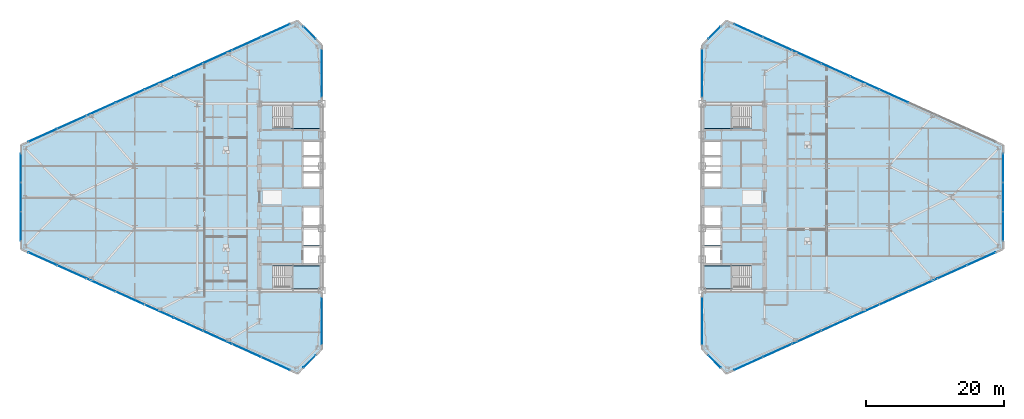
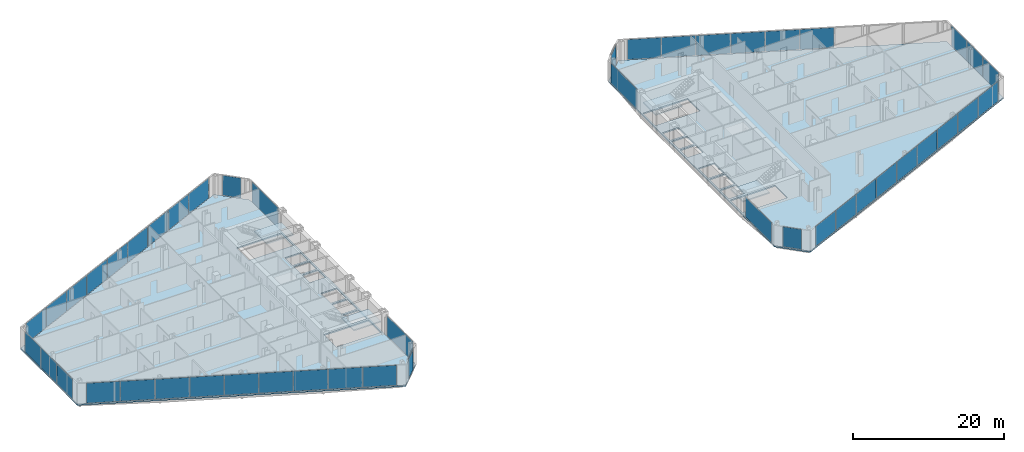
# One storey, part 17 of 27: 47 plates, 6 slabs, 18 elements without a shape of their own.
"""IFC4 building model written with IfcOpenShell, lengths in metres."""

import ifcopenshell
import ifcopenshell.guid

model = None  # the IFC model being written
_history = None  # IfcOwnerHistory: only IFC2X3 demands one
_inside = {}  # id of a spatial element -> (the spatial element, [elements in it])
_under = {}  # id of a project, library or spatial element -> (it, [spatial elements below it])
_declared = {}  # id of a project -> (the project, [libraries it declares])
_typed = {}  # id of a type object -> (the type object, [elements of that type])
_made_of = {}  # id of a material, layer set ... -> (it, [elements and type objects made of it])


def new_model(schema):
    """Start an empty IFC model of exactly this schema.

    Asked for "IFC4X3", IfcOpenShell would pick the latest addendum, in which some entities
    have other attributes; the version numbers below select the first issue.
    IFC2X3 requires an IfcOwnerHistory on every rooted entity: one is made here for all.
    """
    global model, _history
    if schema == "IFC4X3":
        model = ifcopenshell.file(schema_version=(4, 3, 0, 0))
    else:
        model = ifcopenshell.file(schema=schema)
    _inside.clear()
    _under.clear()
    _declared.clear()
    _typed.clear()
    _made_of.clear()
    _history = None
    if model.schema == "IFC2X3":
        org = make("IfcOrganization", Name="unknown")
        user = make(
            "IfcPersonAndOrganization",
            ThePerson=make("IfcPerson", FamilyName="unknown"),
            TheOrganization=org,
        )
        app = make(
            "IfcApplication",
            ApplicationDeveloper=org,
            Version="unknown",
            ApplicationFullName="unknown",
            ApplicationIdentifier="unknown",
        )
        _history = make(
            "IfcOwnerHistory",
            OwningUser=user,
            OwningApplication=app,
            ChangeAction="ADDED",
            CreationDate=0,
        )
    return model


def make(cls, **values):
    """One entity of the class cls with the attributes given. An attribute that is None is left unset."""
    return model.create_entity(
        cls, **{name: value for name, value in values.items() if value is not None}
    )


def rooted(cls, **values):
    """An entity with a GlobalId (a new one), such as an element, a storey or a relation."""
    return make(cls, GlobalId=ifcopenshell.guid.new(), OwnerHistory=_history, **values)


def si_unit(unit_type, name, prefix=None):
    """IfcSIUnit, for example si_unit("LENGTHUNIT", "METRE", prefix="MILLI")."""
    return make("IfcSIUnit", UnitType=unit_type, Prefix=prefix, Name=name)


def assignment(units):
    """IfcUnitAssignment: the units of a project."""
    return None if units is None else make("IfcUnitAssignment", Units=units)


def point(xyz):
    """IfcCartesianPoint."""
    return None if xyz is None else make("IfcCartesianPoint", Coordinates=xyz)


def direction(xyz):
    """IfcDirection."""
    return None if xyz is None else make("IfcDirection", DirectionRatios=xyz)


def frame(location, z_axis=None, x_axis=None):
    """IfcAxis2Placement3D, a coordinate frame: its origin and axes. An axis left out is left unset."""
    return make(
        "IfcAxis2Placement3D",
        Location=point(location),
        Axis=direction(z_axis),
        RefDirection=direction(x_axis),
    )


def frame_2d(location, x_axis=None):
    """IfcAxis2Placement2D, a coordinate frame in the plane: its origin and x axis."""
    return make(
        "IfcAxis2Placement2D", Location=point(location), RefDirection=direction(x_axis)
    )


def origin():
    """The frame at (0, 0, 0) with its axes left unset."""
    return frame((0.0, 0.0, 0.0))


def origin_2d():
    """The frame at (0, 0) in the plane with its x axis left unset."""
    return frame_2d((0.0, 0.0))


def place(relative_to, where):
    """IfcLocalPlacement: puts the frame where relative to a parent placement (None: the world)."""
    return make(
        "IfcLocalPlacement", PlacementRelTo=relative_to, RelativePlacement=where
    )


def context(
    kind, dimensions, precision=None, world=None, true_north=None, identifier=None
):
    """IfcGeometricRepresentationContext, for example the 3D "Model" context."""
    return make(
        "IfcGeometricRepresentationContext",
        ContextIdentifier=identifier,
        ContextType=kind,
        CoordinateSpaceDimension=dimensions,
        Precision=precision,
        WorldCoordinateSystem=world,
        TrueNorth=true_north,
    )


def subcontext(parent, identifier, kind, view, scale=None):
    """IfcGeometricRepresentationSubContext, for example "Body" below "Model"."""
    return make(
        "IfcGeometricRepresentationSubContext",
        ContextIdentifier=identifier,
        ContextType=kind,
        ParentContext=parent,
        TargetScale=scale,
        TargetView=view,
    )


def project(units=None, contexts=None):
    """IfcProject with its units and contexts."""
    return rooted(
        "IfcProject",
        Name="project",
        RepresentationContexts=contexts,
        UnitsInContext=assignment(units),
    )


def spatial(cls, under=None, at=None, **own):
    """A site, building, storey or space (cls), placed at a placement, below another one or the project."""
    s = rooted(cls, ObjectPlacement=at, **own)
    if under is not None:
        _under.setdefault(under.id(), (under, []))[1].append(s)
    return s


def polyline(points):
    """IfcPolyline through the points."""
    return make("IfcPolyline", Points=[point(p) for p in points])


def profile(cls, at=None, kind="AREA", **sizes):
    """A parametric profile (cls). Its sizes go by their IFC names, for example OverallWidth=200.0."""
    return make(cls, ProfileType=kind, Position=at, **sizes)


def rectangle(**sizes):
    """IfcRectangleProfileDef."""
    return profile("IfcRectangleProfileDef", **sizes)


def outline(outer, holes=None, kind="AREA"):
    """IfcArbitraryClosedProfileDef: a profile drawn as a closed curve; with holes, ...WithVoids."""
    if holes is None:
        return make("IfcArbitraryClosedProfileDef", ProfileType=kind, OuterCurve=outer)
    return make(
        "IfcArbitraryProfileDefWithVoids",
        ProfileType=kind,
        OuterCurve=outer,
        InnerCurves=holes,
    )


def extrude(swept, where, along, depth):
    """IfcExtrudedAreaSolid: the profile swept, set in the frame where, extruded along a direction by depth."""
    return make(
        "IfcExtrudedAreaSolid",
        SweptArea=swept,
        Position=where,
        ExtrudedDirection=direction(along),
        Depth=depth,
    )


def shape(context_of_items, identifier, shape_type, items):
    """IfcShapeRepresentation: the items that make up one representation, for example the "Body"."""
    return make(
        "IfcShapeRepresentation",
        ContextOfItems=context_of_items,
        RepresentationIdentifier=identifier,
        RepresentationType=shape_type,
        Items=items,
    )


def source(mapping_origin, context_of_items, identifier, shape_type, items):
    """IfcRepresentationMap: a shape defined once, which mapped items show again and again."""
    return make(
        "IfcRepresentationMap",
        MappingOrigin=mapping_origin,
        MappedRepresentation=shape(context_of_items, identifier, shape_type, items),
    )


def transform(
    local_origin,
    x_axis=None,
    y_axis=None,
    z_axis=None,
    scale=None,
    scale2=None,
    scale3=None,
    uniform=True,
):
    """IfcCartesianTransformationOperator3D, or its non-uniform kind. x_axis, y_axis, z_axis: its Axis1, 2, 3."""
    if uniform:
        return make(
            "IfcCartesianTransformationOperator3D",
            Axis1=direction(x_axis),
            Axis2=direction(y_axis),
            LocalOrigin=point(local_origin),
            Scale=scale,
            Axis3=direction(z_axis),
        )
    return make(
        "IfcCartesianTransformationOperator3DnonUniform",
        Axis1=direction(x_axis),
        Axis2=direction(y_axis),
        LocalOrigin=point(local_origin),
        Scale=scale,
        Axis3=direction(z_axis),
        Scale2=scale2,
        Scale3=scale3,
    )


def mapped(mapping_source, mapping_target):
    """IfcMappedItem: shows the shape of a source again, moved by a transform."""
    return make(
        "IfcMappedItem", MappingSource=mapping_source, MappingTarget=mapping_target
    )


def material(Name=None, Category=None):
    """IfcMaterial."""
    return make("IfcMaterial", Name=Name, Category=Category)


def layer(
    of_material, thickness, ventilated=None, Name=None, Category=None, Priority=None
):
    """IfcMaterialLayer: one layer of a wall or slab, of a material (None: an air gap)."""
    return make(
        "IfcMaterialLayer",
        Material=of_material,
        LayerThickness=thickness,
        IsVentilated=ventilated,
        Name=Name,
        Category=Category,
        Priority=Priority,
    )


def layer_set(layers, Name=None):
    """IfcMaterialLayerSet."""
    return make("IfcMaterialLayerSet", MaterialLayers=layers, LayerSetName=Name)


def made_of(thing, what):
    """Note that an element or type object is made of a material, layer set ...; save() writes the relation."""
    if what is not None:
        _made_of.setdefault(what.id(), (what, []))[1].append(thing)
    return thing


def type_object(cls, material=None, **own):
    """A type object (cls), such as IfcWallType, which elements share."""
    return made_of(rooted(cls, **own), material)


def type_shapes(of_type, sources):
    """Give a type object the sources (RepresentationMaps) that its elements show as mapped items."""
    of_type.RepresentationMaps = sources


def element(
    cls,
    number,
    at=None,
    inside=None,
    cuts=None,
    type_object=None,
    material=None,
    context=None,
    identifier="Body",
    shape_type=None,
    held_by="IfcProductDefinitionShape",
    body=None,
    shapes=None,
    **own,
):
    """One element of the class cls, such as IfcWall. Its Tag is "e" and its number.

    at: its placement. inside: the storey or other place that contains it. cuts: it is an
    opening in that element (IfcRelVoidsElement). A single representation is given by context,
    identifier, shape_type and body (its items); several are given by shapes. held_by: the class
    of the entity that holds the representations. save() writes the other relations.
    """
    e = rooted(cls, Tag="e%d" % number, ObjectPlacement=at, **own)
    if body is not None:
        shapes = [shape(context, identifier, shape_type, body)]
    if shapes is not None:
        e.Representation = make(held_by, Representations=shapes)
    if inside is not None:
        _inside.setdefault(inside.id(), (inside, []))[1].append(e)
    if cuts is not None:
        rooted(
            "IfcRelVoidsElement", RelatingBuildingElement=cuts, RelatedOpeningElement=e
        )
    if type_object is not None:
        _typed.setdefault(type_object.id(), (type_object, []))[1].append(e)
    return made_of(e, material)


def aggregate(whole, parts):
    """IfcRelAggregates: a whole, such as a stair, and the parts it consists of."""
    return rooted("IfcRelAggregates", RelatingObject=whole, RelatedObjects=parts)


def save(model, path):
    """Write the relations noted so far, then the file.

    IfcRelAggregates (storeys below a building ...), IfcRelContainedInSpatialStructure (elements
    in a storey), IfcRelDefinesByType, IfcRelAssociatesMaterial and IfcRelDeclares: one each for
    every whole, place, type object, material and project.
    """
    for whole, parts in _under.values():
        aggregate(whole, parts)
    for where, things in _inside.values():
        rooted(
            "IfcRelContainedInSpatialStructure",
            RelatedElements=things,
            RelatingStructure=where,
        )
    for kind, things in _typed.values():
        rooted("IfcRelDefinesByType", RelatedObjects=things, RelatingType=kind)
    for what, things in _made_of.values():
        rooted("IfcRelAssociatesMaterial", RelatedObjects=things, RelatingMaterial=what)
    for by, libraries in _declared.values():
        rooted("IfcRelDeclares", RelatingContext=by, RelatedDefinitions=libraries)
    model.write(path)


model = new_model("IFC4")

# Units and contexts
model_context = context("Model", 3, precision=1e-05, world=origin(), true_north=direction((0.0, 1.0)))
body_context = subcontext(model_context, "Body", "Model", "MODEL_VIEW")
ifc_project = project(units=[si_unit("LENGTHUNIT", "METRE"), si_unit("AREAUNIT", "SQUARE_METRE"), si_unit("VOLUMEUNIT", "CUBIC_METRE"), si_unit("PLANEANGLEUNIT", "RADIAN"), si_unit("MASSUNIT", "GRAM", prefix="KILO")], contexts=[model_context])

# Site, building, storey
site_placement = place(None, origin())
site = spatial("IfcSite", under=ifc_project, at=site_placement, CompositionType="ELEMENT")
building_placement = place(site_placement, origin())
building = spatial("IfcBuilding", under=site, at=building_placement, Name="Seokmaru Belvedere", CompositionType="ELEMENT")
storey_placement = place(building_placement, frame((0.0, 0.0, 69.300048828125)))
storey = spatial("IfcBuildingStorey", under=building, at=storey_placement, Name="L18", CompositionType="ELEMENT", Elevation=69.300048828125)

# Stair, slab
ifc_material_1 = material(Name="Concrete C40 (40 MPa)", Category="concrete")
stair_type = type_object("IfcStairType", Name="Typical Tower Core Dog-Leg Stair 3600", PredefinedType="TWO_STRAIGHT_RUN_STAIR", material=ifc_material_1)
stair_1_placement = place(storey_placement, origin())
stair_1 = element("IfcStair", 1, at=stair_1_placement, inside=storey, type_object=stair_type, Name="L18 Special Escape Stair ST-W1", PredefinedType="TWO_STRAIGHT_RUN_STAIR")
ifc_layer_1 = layer(ifc_material_1, 0.199951171875)
ifc_layer_set_1 = layer_set([ifc_layer_1], Name="Concrete C40 (40 MPa)")
slab_type_1 = type_object("IfcSlabType", Name="Reinforced Concrete Stair Landing Slab 200", PredefinedType="LANDING", material=ifc_layer_set_1)
slab_1_placement = place(storey_placement, frame((0.0, 0.0, 1.599853515625)))
slab_1 = element("IfcSlab", 2, at=slab_1_placement, type_object=slab_type_1, Name="ST-W1 landing 1", PredefinedType="LANDING", context=body_context, shape_type="SweptSolid", body=[
    extrude(outline(polyline([(-31.8798828125, -13.239990234375), (-27.760009765625, -13.239990234375), (-27.760009765625, -9.949951171875), (-31.8798828125, -9.949951171875), (-31.8798828125, -13.239990234375)])), origin(), (0.0, 0.0, 1.0), 0.2001953125),
])
aggregate(stair_1, [slab_1])

stair_2_placement = place(storey_placement, origin())
stair_2 = element("IfcStair", 3, at=stair_2_placement, inside=storey, type_object=stair_type, Name="L18 Special Escape Stair ST-W2", PredefinedType="TWO_STRAIGHT_RUN_STAIR")
slab_2_placement = place(storey_placement, frame((0.0, 0.0, 1.599853515625)))
slab_2 = element("IfcSlab", 4, at=slab_2_placement, type_object=slab_type_1, Name="ST-W2 landing 1", PredefinedType="LANDING", context=body_context, shape_type="SweptSolid", body=[
    extrude(outline(polyline([(-31.8798828125, 9.949951171875), (-27.760009765625, 9.949951171875), (-27.760009765625, 13.239990234375), (-31.8798828125, 13.239990234375), (-31.8798828125, 9.949951171875)])), origin(), (0.0, 0.0, 1.0), 0.2001953125),
])
aggregate(stair_2, [slab_2])

stair_3_placement = place(storey_placement, origin())
stair_3 = element("IfcStair", 5, at=stair_3_placement, inside=storey, type_object=stair_type, Name="L18 Special Escape Stair ST-E1", PredefinedType="TWO_STRAIGHT_RUN_STAIR")
slab_3_placement = place(storey_placement, frame((0.0, 0.0, 1.599853515625)))
slab_3 = element("IfcSlab", 6, at=slab_3_placement, type_object=slab_type_1, Name="ST-E1 landing 1", PredefinedType="LANDING", context=body_context, shape_type="SweptSolid", body=[
    extrude(outline(polyline([(27.760009765625, -13.239990234375), (31.8798828125, -13.239990234375), (31.8798828125, -9.949951171875), (27.760009765625, -9.949951171875), (27.760009765625, -13.239990234375)])), origin(), (0.0, 0.0, 1.0), 0.2001953125),
])
aggregate(stair_3, [slab_3])

stair_4_placement = place(storey_placement, origin())
stair_4 = element("IfcStair", 7, at=stair_4_placement, inside=storey, type_object=stair_type, Name="L18 Special Escape Stair ST-E2", PredefinedType="TWO_STRAIGHT_RUN_STAIR")
slab_4_placement = place(storey_placement, frame((0.0, 0.0, 1.599853515625)))
slab_4 = element("IfcSlab", 8, at=slab_4_placement, type_object=slab_type_1, Name="ST-E2 landing 1", PredefinedType="LANDING", context=body_context, shape_type="SweptSolid", body=[
    extrude(outline(polyline([(27.760009765625, 9.949951171875), (31.8798828125, 9.949951171875), (31.8798828125, 13.239990234375), (27.760009765625, 13.239990234375), (27.760009765625, 9.949951171875)])), origin(), (0.0, 0.0, 1.0), 0.2001953125),
])
aggregate(stair_4, [slab_4])

# Slabs
ifc_layer_2 = layer(ifc_material_1, 0.219970703125)
ifc_layer_set_2 = layer_set([ifc_layer_2], Name="Concrete C40 (40 MPa)")
slab_type_2 = type_object("IfcSlabType", Name="Typical Tower Composite Floor Slab 220", PredefinedType="FLOOR", material=ifc_layer_set_2)
slab_5_placement = place(storey_placement, frame((0.0, 0.0, -0.219970703125)))
element("IfcSlab", 9, at=slab_5_placement, inside=storey, type_object=slab_type_2, Name="L18 West Leg Floor Slab", PredefinedType="FLOOR", context=body_context, shape_type="SweptSolid", body=[
    extrude(outline(polyline([(-27.5, -22.0), (-27.5, 22.0), (-31.0, 25.5), (-71.0, 7.5), (-71.0, -7.5), (-31.0, -25.5), (-27.5, -22.0)]), holes=[polyline([(-34.60009765625, -13.25), (-27.75, -13.25), (-27.75, -9.949951171875), (-34.60009765625, -9.949951171875), (-34.60009765625, -13.25)]), polyline([(-34.60009765625, 9.949951171875), (-27.75, 9.949951171875), (-27.75, 13.25), (-34.60009765625, 13.25), (-34.60009765625, 9.949951171875)]), polyline([(-30.14990234375, -9.550048828125), (-27.75, -9.550048828125), (-27.75, -7.25), (-30.14990234375, -7.25), (-30.14990234375, -9.550048828125)]), polyline([(-30.14990234375, -6.949951171875), (-27.75, -6.949951171875), (-27.75, -4.35009765625), (-30.14990234375, -4.35009765625), (-30.14990234375, -6.949951171875)]), polyline([(-30.14990234375, -4.050048828125), (-27.75, -4.050048828125), (-27.75, -1.449951171875), (-30.14990234375, -1.449951171875), (-30.14990234375, -4.050048828125)]), polyline([(-30.14990234375, 1.449951171875), (-27.75, 1.449951171875), (-27.75, 3.449951171875), (-30.14990234375, 3.449951171875), (-30.14990234375, 1.449951171875)]), polyline([(-30.14990234375, 3.75), (-27.75, 3.75), (-27.75, 5.75), (-30.14990234375, 5.75), (-30.14990234375, 3.75)]), polyline([(-30.14990234375, 6.050048828125), (-27.75, 6.050048828125), (-27.75, 8.050048828125), (-30.14990234375, 8.050048828125), (-30.14990234375, 6.050048828125)])]), origin(), (0.0, 0.0, 1.0), 0.219970703125),
])
slab_6_placement = place(storey_placement, frame((0.0, 0.0, -0.219970703125)))
element("IfcSlab", 10, at=slab_6_placement, inside=storey, type_object=slab_type_2, Name="L18 East Leg Floor Slab", PredefinedType="FLOOR", context=body_context, shape_type="SweptSolid", body=[
    extrude(outline(polyline([(31.0, -25.5), (71.0, -7.5), (71.0, 7.5), (31.0, 25.5), (27.5, 22.0), (27.5, -22.0), (31.0, -25.5)]), holes=[polyline([(27.75, -13.25), (34.60009765625, -13.25), (34.60009765625, -9.949951171875), (27.75, -9.949951171875), (27.75, -13.25)]), polyline([(27.75, 9.949951171875), (34.60009765625, 9.949951171875), (34.60009765625, 13.25), (27.75, 13.25), (27.75, 9.949951171875)]), polyline([(27.75, -9.550048828125), (30.14990234375, -9.550048828125), (30.14990234375, -7.25), (27.75, -7.25), (27.75, -9.550048828125)]), polyline([(27.75, -6.949951171875), (30.14990234375, -6.949951171875), (30.14990234375, -4.35009765625), (27.75, -4.35009765625), (27.75, -6.949951171875)]), polyline([(27.75, -4.050048828125), (30.14990234375, -4.050048828125), (30.14990234375, -1.449951171875), (27.75, -1.449951171875), (27.75, -4.050048828125)]), polyline([(27.75, 1.449951171875), (30.14990234375, 1.449951171875), (30.14990234375, 3.449951171875), (27.75, 3.449951171875), (27.75, 1.449951171875)]), polyline([(27.75, 3.75), (30.14990234375, 3.75), (30.14990234375, 5.75), (27.75, 5.75), (27.75, 3.75)]), polyline([(27.75, 6.050048828125), (30.14990234375, 6.050048828125), (30.14990234375, 8.050048828125), (27.75, 8.050048828125), (27.75, 6.050048828125)])]), origin(), (0.0, 0.0, 1.0), 0.219970703125),
])

# Curtain wall, plate
ifc_material_2 = material(Name="Bronze Triple Insulating Glass", Category="glass")
ifc_layer_3 = layer(ifc_material_2, 0.195068359375)
ifc_layer_set_3 = layer_set([ifc_layer_3], Name="Bronze Triple Insulating Glass")
curtain_wall_type = type_object("IfcCurtainWallType", Name="Lower-Mid Tapered Curtain Wall System CW-3", PredefinedType="NOTDEFINED", material=ifc_layer_set_3)
curtain_wall_1_placement = place(storey_placement, origin())
curtain_wall_1 = element("IfcCurtainWall", 11, at=curtain_wall_1_placement, inside=storey, type_object=curtain_wall_type, Name="L18 Curtain Wall WSP_1", PredefinedType="NOTDEFINED")
ifc_layer_4 = layer(ifc_material_2, 0.035888671875)
ifc_layer_set_4 = layer_set([ifc_layer_4], Name="Bronze Triple Insulating Glass")
plate_type = type_object("IfcPlateType", Name="Bronze Triple Vision Glazing Panel 36", PredefinedType="CURTAIN_PANEL", material=ifc_layer_set_4)
shared_shape_1 = source(origin(), body_context, "Body", "SweptSolid", [
    extrude(rectangle(XDim=6.909912109375, YDim=0.035888671875, at=origin_2d()), origin(), (0.0, 0.0, 1.0), 3.239990234375),
])
plate_1_placement = place(storey_placement, frame((-27.5, -17.905029296875, 0.06982421875), z_axis=(0.0, 0.0, 1.0), x_axis=(0.0, 1.0, 0.0)))
plate_1 = element("IfcPlate", 12, at=plate_1_placement, type_object=plate_type, Name="CW:L18:WSP_1 Glazing Panel 1-1", PredefinedType="CURTAIN_PANEL", context=body_context, shape_type="MappedRepresentation", body=[
    mapped(shared_shape_1, transform((0.0, 0.0, 0.0), scale=1.0)),
])
aggregate(curtain_wall_1, [plate_1])

curtain_wall_2_placement = place(storey_placement, origin())
curtain_wall_2 = element("IfcCurtainWall", 13, at=curtain_wall_2_placement, inside=storey, type_object=curtain_wall_type, Name="L18 Curtain Wall WSP_2", PredefinedType="NOTDEFINED")
plate_2_placement = place(storey_placement, frame((-27.5, 17.905029296875, 0.06982421875), z_axis=(0.0, 0.0, 1.0), x_axis=(0.0, 1.0, 0.0)))
plate_2 = element("IfcPlate", 14, at=plate_2_placement, type_object=plate_type, Name="CW:L18:WSP_2 Glazing Panel 1-1", PredefinedType="CURTAIN_PANEL", context=body_context, shape_type="MappedRepresentation", body=[
    mapped(shared_shape_1, transform((0.0, 0.0, 0.0), scale=1.0)),
])
aggregate(curtain_wall_2, [plate_2])

curtain_wall_3_placement = place(storey_placement, origin())
curtain_wall_3 = element("IfcCurtainWall", 15, at=curtain_wall_3_placement, inside=storey, type_object=curtain_wall_type, Name="L18 Curtain Wall ESP_1", PredefinedType="NOTDEFINED")
plate_3_placement = place(storey_placement, frame((27.5, -17.905029296875, 0.06982421875), z_axis=(0.0, 0.0, 1.0), x_axis=(0.0, -1.0, 0.0)))
plate_3 = element("IfcPlate", 16, at=plate_3_placement, type_object=plate_type, Name="CW:L18:ESP_1 Glazing Panel 1-1", PredefinedType="CURTAIN_PANEL", context=body_context, shape_type="MappedRepresentation", body=[
    mapped(shared_shape_1, transform((0.0, 0.0, 0.0), scale=1.0)),
])
aggregate(curtain_wall_3, [plate_3])

curtain_wall_4_placement = place(storey_placement, origin())
curtain_wall_4 = element("IfcCurtainWall", 17, at=curtain_wall_4_placement, inside=storey, type_object=curtain_wall_type, Name="L18 Curtain Wall ESP_2", PredefinedType="NOTDEFINED")
plate_4_placement = place(storey_placement, frame((27.5, 17.905029296875, 0.06982421875), z_axis=(0.0, 0.0, 1.0), x_axis=(0.0, -1.0, 0.0)))
plate_4 = element("IfcPlate", 18, at=plate_4_placement, type_object=plate_type, Name="CW:L18:ESP_2 Glazing Panel 1-1", PredefinedType="CURTAIN_PANEL", context=body_context, shape_type="MappedRepresentation", body=[
    mapped(shared_shape_1, transform((0.0, 0.0, 0.0), scale=1.0)),
])
aggregate(curtain_wall_4, [plate_4])

curtain_wall_5_placement = place(storey_placement, origin())
curtain_wall_5 = element("IfcCurtainWall", 19, at=curtain_wall_5_placement, inside=storey, type_object=curtain_wall_type, Name="L18 Curtain Wall WF2", PredefinedType="NOTDEFINED")
shared_shape_2 = source(origin(), body_context, "Body", "SweptSolid", [
    extrude(rectangle(XDim=2.509765625, YDim=0.035888671875, at=origin_2d()), origin(), (0.0, 0.0, 1.0), 3.239990234375),
])
plate_5_placement = place(storey_placement, frame((-29.25, 23.75, 0.06982421875), z_axis=(0.0, 0.0, 1.0), x_axis=(-0.707106781187, 0.707106781187, 0.0)))
plate_5 = element("IfcPlate", 20, at=plate_5_placement, type_object=plate_type, Name="CW:L18:WF2 Glazing Panel 1-1", PredefinedType="CURTAIN_PANEL", context=body_context, shape_type="MappedRepresentation", body=[
    mapped(shared_shape_2, transform((0.0, 0.0, 0.0), scale=1.0)),
])
aggregate(curtain_wall_5, [plate_5])

curtain_wall_6_placement = place(storey_placement, origin())
curtain_wall_6 = element("IfcCurtainWall", 21, at=curtain_wall_6_placement, inside=storey, type_object=curtain_wall_type, Name="L18 Curtain Wall WF6", PredefinedType="NOTDEFINED")
plate_6_placement = place(storey_placement, frame((-29.25, -23.75, 0.06982421875), z_axis=(0.0, 0.0, 1.0), x_axis=(0.707106781187, 0.707106781187, 0.0)))
plate_6 = element("IfcPlate", 22, at=plate_6_placement, type_object=plate_type, Name="CW:L18:WF6 Glazing Panel 1-1", PredefinedType="CURTAIN_PANEL", context=body_context, shape_type="MappedRepresentation", body=[
    mapped(shared_shape_2, transform((0.0, 0.0, 0.0), scale=1.0)),
])
aggregate(curtain_wall_6, [plate_6])

curtain_wall_7_placement = place(storey_placement, origin())
curtain_wall_7 = element("IfcCurtainWall", 23, at=curtain_wall_7_placement, inside=storey, type_object=curtain_wall_type, Name="L18 Curtain Wall EF4", PredefinedType="NOTDEFINED")
plate_7_placement = place(storey_placement, frame((29.25, 23.75, 0.06982421875), z_axis=(0.0, 0.0, 1.0), x_axis=(-0.707106781187, -0.707106781187, 0.0)))
plate_7 = element("IfcPlate", 24, at=plate_7_placement, type_object=plate_type, Name="CW:L18:EF4 Glazing Panel 1-1", PredefinedType="CURTAIN_PANEL", context=body_context, shape_type="MappedRepresentation", body=[
    mapped(shared_shape_2, transform((0.0, 0.0, 0.0), scale=1.0)),
])
aggregate(curtain_wall_7, [plate_7])

curtain_wall_8_placement = place(storey_placement, origin())
curtain_wall_8 = element("IfcCurtainWall", 25, at=curtain_wall_8_placement, inside=storey, type_object=curtain_wall_type, Name="L18 Curtain Wall EF6", PredefinedType="NOTDEFINED")
plate_8_placement = place(storey_placement, frame((29.25, -23.75, 0.06982421875), z_axis=(0.0, 0.0, 1.0), x_axis=(0.707106781187, -0.707106781187, 0.0)))
plate_8 = element("IfcPlate", 26, at=plate_8_placement, type_object=plate_type, Name="CW:L18:EF6 Glazing Panel 1-1", PredefinedType="CURTAIN_PANEL", context=body_context, shape_type="MappedRepresentation", body=[
    mapped(shared_shape_2, transform((0.0, 0.0, 0.0), scale=1.0)),
])
aggregate(curtain_wall_8, [plate_8])

# Curtain wall, plates
curtain_wall_9_placement = place(storey_placement, origin())
curtain_wall_9 = element("IfcCurtainWall", 27, at=curtain_wall_9_placement, inside=storey, type_object=curtain_wall_type, Name="L18 Curtain Wall WF3", PredefinedType="NOTDEFINED")
shared_shape_3 = source(origin(), body_context, "Body", "SweptSolid", [
    extrude(rectangle(XDim=4.51318359375, YDim=0.035888671875, at=origin_2d()), origin(), (0.0, 0.0, 1.0), 3.239990234375),
])
plate_9_placement = place(storey_placement, frame((-34.17041015625, 24.073486328125, 0.06982421875), z_axis=(0.0, 0.0, 1.0), x_axis=(-0.91192111353, -0.41036554765, 0.0)))
plate_9 = element("IfcPlate", 28, at=plate_9_placement, type_object=plate_type, Name="CW:L18:WF3 Glazing Panel 1-1", PredefinedType="CURTAIN_PANEL", context=body_context, shape_type="MappedRepresentation", body=[
    mapped(shared_shape_3, transform((0.0, 0.0, 0.0), scale=1.0)),
])
plate_10_placement = place(storey_placement, frame((-67.82958984375, 8.926513671875, 0.06982421875), z_axis=(0.0, 0.0, 1.0), x_axis=(-0.91192111353, -0.41036554765, 0.0)))
plate_10 = element("IfcPlate", 29, at=plate_10_placement, type_object=plate_type, Name="CW:L18:WF3 Glazing Panel 9-1", PredefinedType="CURTAIN_PANEL", context=body_context, shape_type="MappedRepresentation", body=[
    mapped(shared_shape_3, transform((0.0, 0.0, 0.0), scale=1.0)),
])

curtain_wall_10_placement = place(storey_placement, origin())
curtain_wall_10 = element("IfcCurtainWall", 30, at=curtain_wall_10_placement, inside=storey, type_object=curtain_wall_type, Name="L18 Curtain Wall WF5", PredefinedType="NOTDEFINED")
plate_11_placement = place(storey_placement, frame((-67.82958984375, -8.926513671875, 0.06982421875), z_axis=(0.0, 0.0, 1.0), x_axis=(0.91192111353, -0.41036554765, 0.0)))
plate_11 = element("IfcPlate", 31, at=plate_11_placement, type_object=plate_type, Name="CW:L18:WF5 Glazing Panel 1-1", PredefinedType="CURTAIN_PANEL", context=body_context, shape_type="MappedRepresentation", body=[
    mapped(shared_shape_3, transform((0.0, 0.0, 0.0), scale=1.0)),
])
plate_12_placement = place(storey_placement, frame((-34.17041015625, -24.073486328125, 0.06982421875), z_axis=(0.0, 0.0, 1.0), x_axis=(0.91192111353, -0.41036554765, 0.0)))
plate_12 = element("IfcPlate", 32, at=plate_12_placement, type_object=plate_type, Name="CW:L18:WF5 Glazing Panel 9-1", PredefinedType="CURTAIN_PANEL", context=body_context, shape_type="MappedRepresentation", body=[
    mapped(shared_shape_3, transform((0.0, 0.0, 0.0), scale=1.0)),
])

curtain_wall_11_placement = place(storey_placement, origin())
curtain_wall_11 = element("IfcCurtainWall", 33, at=curtain_wall_11_placement, inside=storey, type_object=curtain_wall_type, Name="L18 Curtain Wall EF1", PredefinedType="NOTDEFINED")
plate_13_placement = place(storey_placement, frame((34.17041015625, -24.073486328125, 0.06982421875), z_axis=(0.0, 0.0, 1.0), x_axis=(0.91192111353, 0.41036554765, 0.0)))
plate_13 = element("IfcPlate", 34, at=plate_13_placement, type_object=plate_type, Name="CW:L18:EF1 Glazing Panel 1-1", PredefinedType="CURTAIN_PANEL", context=body_context, shape_type="MappedRepresentation", body=[
    mapped(shared_shape_3, transform((0.0, 0.0, 0.0), scale=1.0)),
])
plate_14_placement = place(storey_placement, frame((67.82958984375, -8.926513671875, 0.06982421875), z_axis=(0.0, 0.0, 1.0), x_axis=(0.91192111353, 0.41036554765, 0.0)))
plate_14 = element("IfcPlate", 35, at=plate_14_placement, type_object=plate_type, Name="CW:L18:EF1 Glazing Panel 9-1", PredefinedType="CURTAIN_PANEL", context=body_context, shape_type="MappedRepresentation", body=[
    mapped(shared_shape_3, transform((0.0, 0.0, 0.0), scale=1.0)),
])

# Curtain wall, plate
curtain_wall_12_placement = place(storey_placement, origin())
curtain_wall_12 = element("IfcCurtainWall", 36, at=curtain_wall_12_placement, inside=storey, type_object=curtain_wall_type, Name="L18 Curtain Wall EF3", PredefinedType="NOTDEFINED")
plate_15_placement = place(storey_placement, frame((34.17041015625, 24.073486328125, 0.06982421875), z_axis=(0.0, 0.0, 1.0), x_axis=(-0.91192111353, 0.41036554765, 0.0)))
plate_15 = element("IfcPlate", 37, at=plate_15_placement, type_object=plate_type, Name="CW:L18:EF3 Glazing Panel 9-1", PredefinedType="CURTAIN_PANEL", context=body_context, shape_type="MappedRepresentation", body=[
    mapped(shared_shape_3, transform((0.0, 0.0, 0.0), scale=1.0)),
])

# Plate
shared_shape_4 = source(origin(), body_context, "Body", "SweptSolid", [
    extrude(rectangle(XDim=4.548095703125, YDim=0.035888671875, at=origin_2d()), origin(), (0.0, 0.0, 1.0), 3.239990234375),
])
plate_16_placement = place(storey_placement, frame((-38.36572265625, 22.185302734375, 0.06982421875), z_axis=(0.0, 0.0, 1.0), x_axis=(-0.91192111353, -0.41036554765, 0.0)))
plate_16 = element("IfcPlate", 38, at=plate_16_placement, type_object=plate_type, Name="CW:L18:WF3 Glazing Panel 2-1", PredefinedType="CURTAIN_PANEL", context=body_context, shape_type="MappedRepresentation", body=[
    mapped(shared_shape_4, transform((0.0, 0.0, 0.0), scale=1.0)),
])

plate_17_placement = place(storey_placement, frame((-42.5771484375, 20.290283203125, 0.06982421875), z_axis=(0.0, 0.0, 1.0), x_axis=(-0.91192111353, -0.41036554765, 0.0)))
plate_17 = element("IfcPlate", 39, at=plate_17_placement, type_object=plate_type, Name="CW:L18:WF3 Glazing Panel 3-1", PredefinedType="CURTAIN_PANEL", context=body_context, shape_type="MappedRepresentation", body=[
    mapped(shared_shape_4, transform((0.0, 0.0, 0.0), scale=1.0)),
])

plate_18_placement = place(storey_placement, frame((-46.78857421875, 18.39501953125, 0.06982421875), z_axis=(0.0, 0.0, 1.0), x_axis=(-0.91192111353, -0.41036554765, 0.0)))
plate_18 = element("IfcPlate", 40, at=plate_18_placement, type_object=plate_type, Name="CW:L18:WF3 Glazing Panel 4-1", PredefinedType="CURTAIN_PANEL", context=body_context, shape_type="MappedRepresentation", body=[
    mapped(shared_shape_4, transform((0.0, 0.0, 0.0), scale=1.0)),
])

plate_19_placement = place(storey_placement, frame((-51.0, 16.5, 0.06982421875), z_axis=(0.0, 0.0, 1.0), x_axis=(-0.91192111353, -0.41036554765, 0.0)))
plate_19 = element("IfcPlate", 41, at=plate_19_placement, type_object=plate_type, Name="CW:L18:WF3 Glazing Panel 5-1", PredefinedType="CURTAIN_PANEL", context=body_context, shape_type="MappedRepresentation", body=[
    mapped(shared_shape_4, transform((0.0, 0.0, 0.0), scale=1.0)),
])

plate_20_placement = place(storey_placement, frame((-55.21142578125, 14.60498046875, 0.06982421875), z_axis=(0.0, 0.0, 1.0), x_axis=(-0.91192111353, -0.41036554765, 0.0)))
plate_20 = element("IfcPlate", 42, at=plate_20_placement, type_object=plate_type, Name="CW:L18:WF3 Glazing Panel 6-1", PredefinedType="CURTAIN_PANEL", context=body_context, shape_type="MappedRepresentation", body=[
    mapped(shared_shape_4, transform((0.0, 0.0, 0.0), scale=1.0)),
])

plate_21_placement = place(storey_placement, frame((-59.4228515625, 12.709716796875, 0.06982421875), z_axis=(0.0, 0.0, 1.0), x_axis=(-0.91192111353, -0.41036554765, 0.0)))
plate_21 = element("IfcPlate", 43, at=plate_21_placement, type_object=plate_type, Name="CW:L18:WF3 Glazing Panel 7-1", PredefinedType="CURTAIN_PANEL", context=body_context, shape_type="MappedRepresentation", body=[
    mapped(shared_shape_4, transform((0.0, 0.0, 0.0), scale=1.0)),
])

plate_22_placement = place(storey_placement, frame((-63.63427734375, 10.814697265625, 0.06982421875), z_axis=(0.0, 0.0, 1.0), x_axis=(-0.91192111353, -0.41036554765, 0.0)))
plate_22 = element("IfcPlate", 44, at=plate_22_placement, type_object=plate_type, Name="CW:L18:WF3 Glazing Panel 8-1", PredefinedType="CURTAIN_PANEL", context=body_context, shape_type="MappedRepresentation", body=[
    mapped(shared_shape_4, transform((0.0, 0.0, 0.0), scale=1.0)),
])

aggregate(curtain_wall_9, [plate_9, plate_16, plate_17, plate_18, plate_19, plate_20, plate_21, plate_22, plate_10])

plate_23_placement = place(storey_placement, frame((-63.63427734375, -10.814697265625, 0.06982421875), z_axis=(0.0, 0.0, 1.0), x_axis=(0.91192111353, -0.41036554765, 0.0)))
plate_23 = element("IfcPlate", 45, at=plate_23_placement, type_object=plate_type, Name="CW:L18:WF5 Glazing Panel 2-1", PredefinedType="CURTAIN_PANEL", context=body_context, shape_type="MappedRepresentation", body=[
    mapped(shared_shape_4, transform((0.0, 0.0, 0.0), scale=1.0)),
])

plate_24_placement = place(storey_placement, frame((-59.4228515625, -12.709716796875, 0.06982421875), z_axis=(0.0, 0.0, 1.0), x_axis=(0.91192111353, -0.41036554765, 0.0)))
plate_24 = element("IfcPlate", 46, at=plate_24_placement, type_object=plate_type, Name="CW:L18:WF5 Glazing Panel 3-1", PredefinedType="CURTAIN_PANEL", context=body_context, shape_type="MappedRepresentation", body=[
    mapped(shared_shape_4, transform((0.0, 0.0, 0.0), scale=1.0)),
])

plate_25_placement = place(storey_placement, frame((-55.21142578125, -14.60498046875, 0.06982421875), z_axis=(0.0, 0.0, 1.0), x_axis=(0.91192111353, -0.41036554765, 0.0)))
plate_25 = element("IfcPlate", 47, at=plate_25_placement, type_object=plate_type, Name="CW:L18:WF5 Glazing Panel 4-1", PredefinedType="CURTAIN_PANEL", context=body_context, shape_type="MappedRepresentation", body=[
    mapped(shared_shape_4, transform((0.0, 0.0, 0.0), scale=1.0)),
])

plate_26_placement = place(storey_placement, frame((-51.0, -16.5, 0.06982421875), z_axis=(0.0, 0.0, 1.0), x_axis=(0.91192111353, -0.41036554765, 0.0)))
plate_26 = element("IfcPlate", 48, at=plate_26_placement, type_object=plate_type, Name="CW:L18:WF5 Glazing Panel 5-1", PredefinedType="CURTAIN_PANEL", context=body_context, shape_type="MappedRepresentation", body=[
    mapped(shared_shape_4, transform((0.0, 0.0, 0.0), scale=1.0)),
])

plate_27_placement = place(storey_placement, frame((-46.78857421875, -18.39501953125, 0.06982421875), z_axis=(0.0, 0.0, 1.0), x_axis=(0.91192111353, -0.41036554765, 0.0)))
plate_27 = element("IfcPlate", 49, at=plate_27_placement, type_object=plate_type, Name="CW:L18:WF5 Glazing Panel 6-1", PredefinedType="CURTAIN_PANEL", context=body_context, shape_type="MappedRepresentation", body=[
    mapped(shared_shape_4, transform((0.0, 0.0, 0.0), scale=1.0)),
])

plate_28_placement = place(storey_placement, frame((-42.5771484375, -20.290283203125, 0.06982421875), z_axis=(0.0, 0.0, 1.0), x_axis=(0.91192111353, -0.41036554765, 0.0)))
plate_28 = element("IfcPlate", 50, at=plate_28_placement, type_object=plate_type, Name="CW:L18:WF5 Glazing Panel 7-1", PredefinedType="CURTAIN_PANEL", context=body_context, shape_type="MappedRepresentation", body=[
    mapped(shared_shape_4, transform((0.0, 0.0, 0.0), scale=1.0)),
])

plate_29_placement = place(storey_placement, frame((-38.36572265625, -22.185302734375, 0.06982421875), z_axis=(0.0, 0.0, 1.0), x_axis=(0.91192111353, -0.41036554765, 0.0)))
plate_29 = element("IfcPlate", 51, at=plate_29_placement, type_object=plate_type, Name="CW:L18:WF5 Glazing Panel 8-1", PredefinedType="CURTAIN_PANEL", context=body_context, shape_type="MappedRepresentation", body=[
    mapped(shared_shape_4, transform((0.0, 0.0, 0.0), scale=1.0)),
])

aggregate(curtain_wall_10, [plate_11, plate_23, plate_24, plate_25, plate_26, plate_27, plate_28, plate_29, plate_12])

plate_30_placement = place(storey_placement, frame((38.36572265625, -22.185302734375, 0.06982421875), z_axis=(0.0, 0.0, 1.0), x_axis=(0.91192111353, 0.41036554765, 0.0)))
plate_30 = element("IfcPlate", 52, at=plate_30_placement, type_object=plate_type, Name="CW:L18:EF1 Glazing Panel 2-1", PredefinedType="CURTAIN_PANEL", context=body_context, shape_type="MappedRepresentation", body=[
    mapped(shared_shape_4, transform((0.0, 0.0, 0.0), scale=1.0)),
])

plate_31_placement = place(storey_placement, frame((42.5771484375, -20.290283203125, 0.06982421875), z_axis=(0.0, 0.0, 1.0), x_axis=(0.91192111353, 0.41036554765, 0.0)))
plate_31 = element("IfcPlate", 53, at=plate_31_placement, type_object=plate_type, Name="CW:L18:EF1 Glazing Panel 3-1", PredefinedType="CURTAIN_PANEL", context=body_context, shape_type="MappedRepresentation", body=[
    mapped(shared_shape_4, transform((0.0, 0.0, 0.0), scale=1.0)),
])

plate_32_placement = place(storey_placement, frame((46.78857421875, -18.39501953125, 0.06982421875), z_axis=(0.0, 0.0, 1.0), x_axis=(0.91192111353, 0.41036554765, 0.0)))
plate_32 = element("IfcPlate", 54, at=plate_32_placement, type_object=plate_type, Name="CW:L18:EF1 Glazing Panel 4-1", PredefinedType="CURTAIN_PANEL", context=body_context, shape_type="MappedRepresentation", body=[
    mapped(shared_shape_4, transform((0.0, 0.0, 0.0), scale=1.0)),
])

plate_33_placement = place(storey_placement, frame((51.0, -16.5, 0.06982421875), z_axis=(0.0, 0.0, 1.0), x_axis=(0.91192111353, 0.41036554765, 0.0)))
plate_33 = element("IfcPlate", 55, at=plate_33_placement, type_object=plate_type, Name="CW:L18:EF1 Glazing Panel 5-1", PredefinedType="CURTAIN_PANEL", context=body_context, shape_type="MappedRepresentation", body=[
    mapped(shared_shape_4, transform((0.0, 0.0, 0.0), scale=1.0)),
])

plate_34_placement = place(storey_placement, frame((55.21142578125, -14.60498046875, 0.06982421875), z_axis=(0.0, 0.0, 1.0), x_axis=(0.91192111353, 0.41036554765, 0.0)))
plate_34 = element("IfcPlate", 56, at=plate_34_placement, type_object=plate_type, Name="CW:L18:EF1 Glazing Panel 6-1", PredefinedType="CURTAIN_PANEL", context=body_context, shape_type="MappedRepresentation", body=[
    mapped(shared_shape_4, transform((0.0, 0.0, 0.0), scale=1.0)),
])

plate_35_placement = place(storey_placement, frame((59.4228515625, -12.709716796875, 0.06982421875), z_axis=(0.0, 0.0, 1.0), x_axis=(0.91192111353, 0.41036554765, 0.0)))
plate_35 = element("IfcPlate", 57, at=plate_35_placement, type_object=plate_type, Name="CW:L18:EF1 Glazing Panel 7-1", PredefinedType="CURTAIN_PANEL", context=body_context, shape_type="MappedRepresentation", body=[
    mapped(shared_shape_4, transform((0.0, 0.0, 0.0), scale=1.0)),
])

plate_36_placement = place(storey_placement, frame((63.63427734375, -10.814697265625, 0.06982421875), z_axis=(0.0, 0.0, 1.0), x_axis=(0.91192111353, 0.41036554765, 0.0)))
plate_36 = element("IfcPlate", 58, at=plate_36_placement, type_object=plate_type, Name="CW:L18:EF1 Glazing Panel 8-1", PredefinedType="CURTAIN_PANEL", context=body_context, shape_type="MappedRepresentation", body=[
    mapped(shared_shape_4, transform((0.0, 0.0, 0.0), scale=1.0)),
])

aggregate(curtain_wall_11, [plate_13, plate_30, plate_31, plate_32, plate_33, plate_34, plate_35, plate_36, plate_14])

plate_37_placement = place(storey_placement, frame((55.21142578125, 14.60498046875, 0.06982421875), z_axis=(0.0, 0.0, 1.0), x_axis=(-0.91192111353, 0.41036554765, 0.0)))
plate_37 = element("IfcPlate", 59, at=plate_37_placement, type_object=plate_type, Name="CW:L18:EF3 Glazing Panel 4-1", PredefinedType="CURTAIN_PANEL", context=body_context, shape_type="MappedRepresentation", body=[
    mapped(shared_shape_4, transform((0.0, 0.0, 0.0), scale=1.0)),
])

plate_38_placement = place(storey_placement, frame((51.0, 16.5, 0.06982421875), z_axis=(0.0, 0.0, 1.0), x_axis=(-0.91192111353, 0.41036554765, 0.0)))
plate_38 = element("IfcPlate", 60, at=plate_38_placement, type_object=plate_type, Name="CW:L18:EF3 Glazing Panel 5-1", PredefinedType="CURTAIN_PANEL", context=body_context, shape_type="MappedRepresentation", body=[
    mapped(shared_shape_4, transform((0.0, 0.0, 0.0), scale=1.0)),
])

plate_39_placement = place(storey_placement, frame((46.78857421875, 18.39501953125, 0.06982421875), z_axis=(0.0, 0.0, 1.0), x_axis=(-0.91192111353, 0.41036554765, 0.0)))
plate_39 = element("IfcPlate", 61, at=plate_39_placement, type_object=plate_type, Name="CW:L18:EF3 Glazing Panel 6-1", PredefinedType="CURTAIN_PANEL", context=body_context, shape_type="MappedRepresentation", body=[
    mapped(shared_shape_4, transform((0.0, 0.0, 0.0), scale=1.0)),
])

plate_40_placement = place(storey_placement, frame((42.5771484375, 20.290283203125, 0.06982421875), z_axis=(0.0, 0.0, 1.0), x_axis=(-0.91192111353, 0.41036554765, 0.0)))
plate_40 = element("IfcPlate", 62, at=plate_40_placement, type_object=plate_type, Name="CW:L18:EF3 Glazing Panel 7-1", PredefinedType="CURTAIN_PANEL", context=body_context, shape_type="MappedRepresentation", body=[
    mapped(shared_shape_4, transform((0.0, 0.0, 0.0), scale=1.0)),
])

plate_41_placement = place(storey_placement, frame((38.36572265625, 22.185302734375, 0.06982421875), z_axis=(0.0, 0.0, 1.0), x_axis=(-0.91192111353, 0.41036554765, 0.0)))
plate_41 = element("IfcPlate", 63, at=plate_41_placement, type_object=plate_type, Name="CW:L18:EF3 Glazing Panel 8-1", PredefinedType="CURTAIN_PANEL", context=body_context, shape_type="MappedRepresentation", body=[
    mapped(shared_shape_4, transform((0.0, 0.0, 0.0), scale=1.0)),
])

aggregate(curtain_wall_12, [plate_37, plate_38, plate_39, plate_40, plate_41, plate_15])

# Curtain wall, plates
curtain_wall_13_placement = place(storey_placement, origin())
curtain_wall_13 = element("IfcCurtainWall", 64, at=curtain_wall_13_placement, inside=storey, type_object=curtain_wall_type, Name="L18 Curtain Wall WF4", PredefinedType="NOTDEFINED")
shared_shape_5 = source(origin(), body_context, "Body", "SweptSolid", [
    extrude(rectangle(XDim=4.12841796875, YDim=0.035888671875, at=origin_2d()), origin(), (0.0, 0.0, 1.0), 3.239990234375),
])
plate_42_placement = place(storey_placement, frame((-71.0, 4.2158203125, 0.06982421875), z_axis=(0.0, 0.0, 1.0), x_axis=(0.0, -1.0, 0.0)))
plate_42 = element("IfcPlate", 65, at=plate_42_placement, type_object=plate_type, Name="CW:L18:WF4 Glazing Panel 1-1", PredefinedType="CURTAIN_PANEL", context=body_context, shape_type="MappedRepresentation", body=[
    mapped(shared_shape_5, transform((0.0, 0.0, 0.0), scale=1.0)),
])
plate_43_placement = place(storey_placement, frame((-71.0, -4.2158203125, 0.06982421875), z_axis=(0.0, 0.0, 1.0), x_axis=(0.0, -1.0, 0.0)))
plate_43 = element("IfcPlate", 66, at=plate_43_placement, type_object=plate_type, Name="CW:L18:WF4 Glazing Panel 3-1", PredefinedType="CURTAIN_PANEL", context=body_context, shape_type="MappedRepresentation", body=[
    mapped(shared_shape_5, transform((0.0, 0.0, 0.0), scale=1.0)),
])

curtain_wall_14_placement = place(storey_placement, origin())
curtain_wall_14 = element("IfcCurtainWall", 67, at=curtain_wall_14_placement, inside=storey, type_object=curtain_wall_type, Name="L18 Curtain Wall EF2", PredefinedType="NOTDEFINED")
plate_44_placement = place(storey_placement, frame((71.0, -4.2158203125, 0.06982421875), z_axis=(0.0, 0.0, 1.0), x_axis=(0.0, 1.0, 0.0)))
plate_44 = element("IfcPlate", 68, at=plate_44_placement, type_object=plate_type, Name="CW:L18:EF2 Glazing Panel 1-1", PredefinedType="CURTAIN_PANEL", context=body_context, shape_type="MappedRepresentation", body=[
    mapped(shared_shape_5, transform((0.0, 0.0, 0.0), scale=1.0)),
])
plate_45_placement = place(storey_placement, frame((71.0, 4.2158203125, 0.06982421875), z_axis=(0.0, 0.0, 1.0), x_axis=(0.0, 1.0, 0.0)))
plate_45 = element("IfcPlate", 69, at=plate_45_placement, type_object=plate_type, Name="CW:L18:EF2 Glazing Panel 3-1", PredefinedType="CURTAIN_PANEL", context=body_context, shape_type="MappedRepresentation", body=[
    mapped(shared_shape_5, transform((0.0, 0.0, 0.0), scale=1.0)),
])

# Plate
shared_shape_6 = source(origin(), body_context, "Body", "SweptSolid", [
    extrude(rectangle(XDim=4.163330078125, YDim=0.035888671875, at=origin_2d()), origin(), (0.0, 0.0, 1.0), 3.239990234375),
])
type_shapes(plate_type, [shared_shape_1, shared_shape_2, shared_shape_3, shared_shape_4, shared_shape_5, shared_shape_6])
plate_46_placement = place(storey_placement, frame((-71.0, 0.0, 0.06982421875), z_axis=(0.0, 0.0, 1.0), x_axis=(0.0, -1.0, 0.0)))
plate_46 = element("IfcPlate", 70, at=plate_46_placement, type_object=plate_type, Name="CW:L18:WF4 Glazing Panel 2-1", PredefinedType="CURTAIN_PANEL", context=body_context, shape_type="MappedRepresentation", body=[
    mapped(shared_shape_6, transform((0.0, 0.0, 0.0), scale=1.0)),
])

aggregate(curtain_wall_13, [plate_42, plate_46, plate_43])

plate_47_placement = place(storey_placement, frame((71.0, 0.0, 0.06982421875), z_axis=(0.0, 0.0, 1.0), x_axis=(0.0, 1.0, 0.0)))
plate_47 = element("IfcPlate", 71, at=plate_47_placement, type_object=plate_type, Name="CW:L18:EF2 Glazing Panel 2-1", PredefinedType="CURTAIN_PANEL", context=body_context, shape_type="MappedRepresentation", body=[
    mapped(shared_shape_6, transform((0.0, 0.0, 0.0), scale=1.0)),
])

aggregate(curtain_wall_14, [plate_44, plate_47, plate_45])

save(model, "model.ifc")
